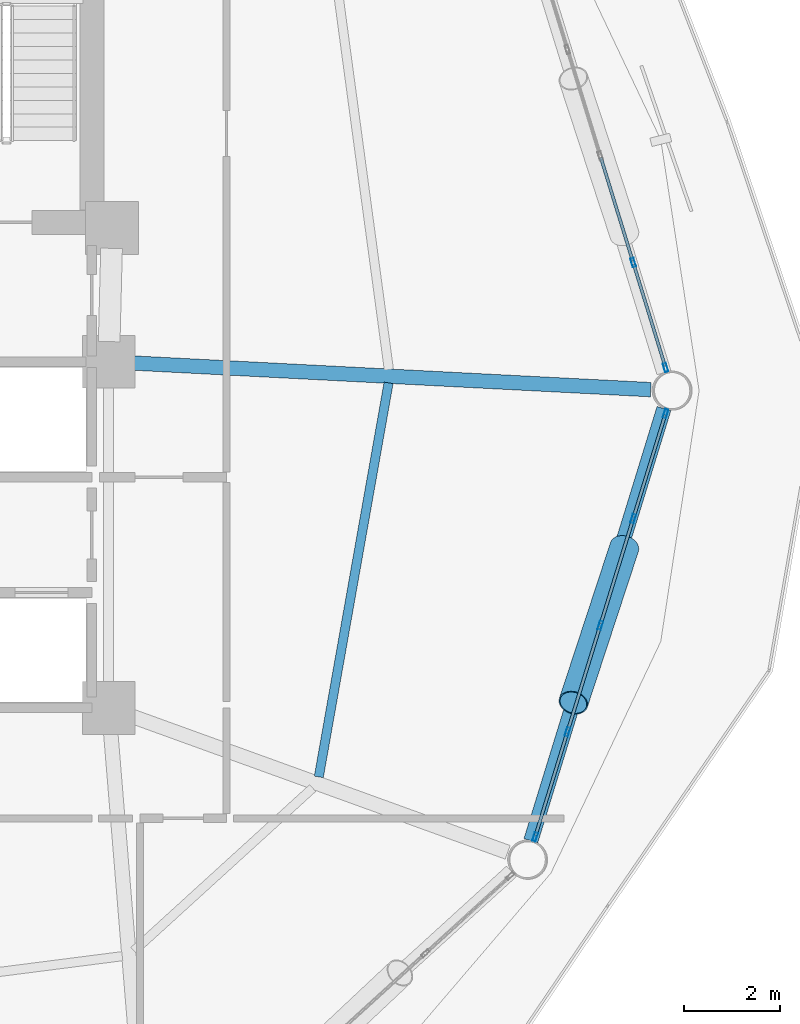
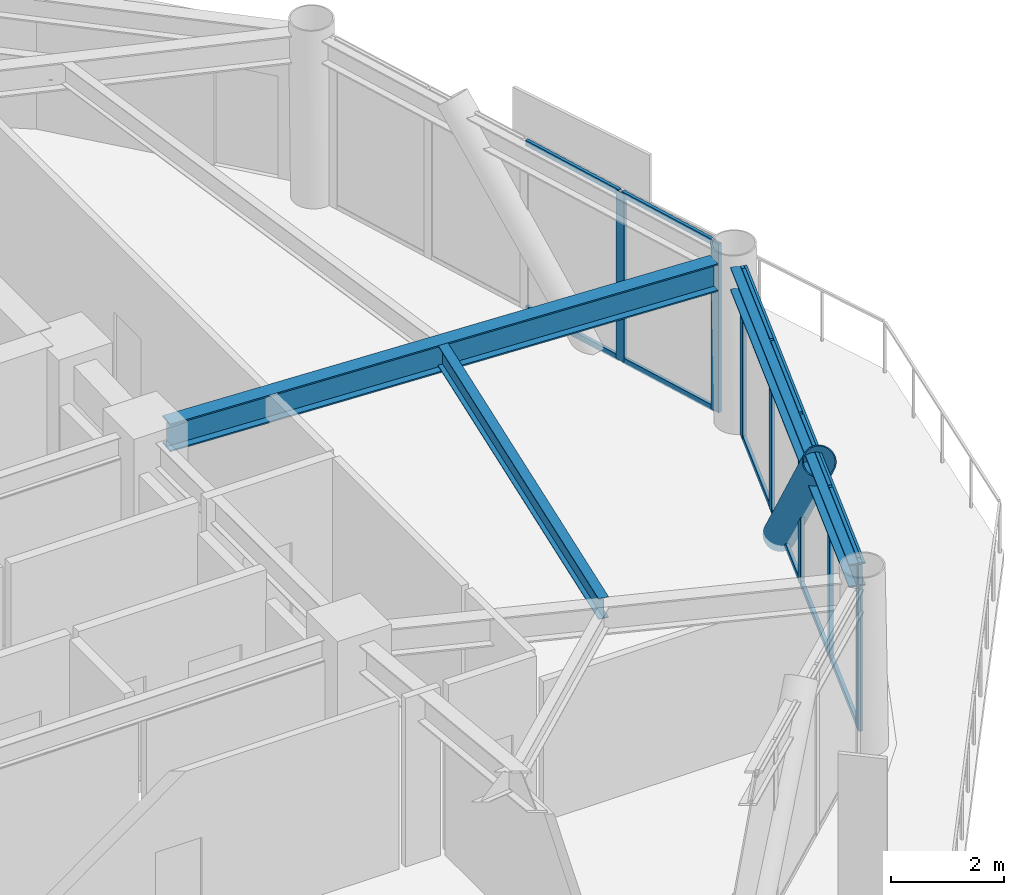
# One storey, part 13 of 24: 20 members, 3 beams, 2 elements without a shape of their own.
"""IFC4 building model written with IfcOpenShell, lengths in metres."""

import ifcopenshell
import ifcopenshell.guid

model = None  # the IFC model being written
_history = None  # IfcOwnerHistory: only IFC2X3 demands one
_inside = {}  # id of a spatial element -> (the spatial element, [elements in it])
_under = {}  # id of a project, library or spatial element -> (it, [spatial elements below it])
_declared = {}  # id of a project -> (the project, [libraries it declares])
_typed = {}  # id of a type object -> (the type object, [elements of that type])
_made_of = {}  # id of a material, layer set ... -> (it, [elements and type objects made of it])


def new_model(schema):
    """Start an empty IFC model of exactly this schema.

    Asked for "IFC4X3", IfcOpenShell would pick the latest addendum, in which some entities
    have other attributes; the version numbers below select the first issue.
    IFC2X3 requires an IfcOwnerHistory on every rooted entity: one is made here for all.
    """
    global model, _history
    if schema == "IFC4X3":
        model = ifcopenshell.file(schema_version=(4, 3, 0, 0))
    else:
        model = ifcopenshell.file(schema=schema)
    _inside.clear()
    _under.clear()
    _declared.clear()
    _typed.clear()
    _made_of.clear()
    _history = None
    if model.schema == "IFC2X3":
        org = make("IfcOrganization", Name="unknown")
        user = make(
            "IfcPersonAndOrganization",
            ThePerson=make("IfcPerson", FamilyName="unknown"),
            TheOrganization=org,
        )
        app = make(
            "IfcApplication",
            ApplicationDeveloper=org,
            Version="unknown",
            ApplicationFullName="unknown",
            ApplicationIdentifier="unknown",
        )
        _history = make(
            "IfcOwnerHistory",
            OwningUser=user,
            OwningApplication=app,
            ChangeAction="ADDED",
            CreationDate=0,
        )
    return model


def make(cls, **values):
    """One entity of the class cls with the attributes given. An attribute that is None is left unset."""
    return model.create_entity(
        cls, **{name: value for name, value in values.items() if value is not None}
    )


def rooted(cls, **values):
    """An entity with a GlobalId (a new one), such as an element, a storey or a relation."""
    return make(cls, GlobalId=ifcopenshell.guid.new(), OwnerHistory=_history, **values)


def si_unit(unit_type, name, prefix=None):
    """IfcSIUnit, for example si_unit("LENGTHUNIT", "METRE", prefix="MILLI")."""
    return make("IfcSIUnit", UnitType=unit_type, Prefix=prefix, Name=name)


def assignment(units):
    """IfcUnitAssignment: the units of a project."""
    return None if units is None else make("IfcUnitAssignment", Units=units)


def point(xyz):
    """IfcCartesianPoint."""
    return None if xyz is None else make("IfcCartesianPoint", Coordinates=xyz)


def direction(xyz):
    """IfcDirection."""
    return None if xyz is None else make("IfcDirection", DirectionRatios=xyz)


def frame(location, z_axis=None, x_axis=None):
    """IfcAxis2Placement3D, a coordinate frame: its origin and axes. An axis left out is left unset."""
    return make(
        "IfcAxis2Placement3D",
        Location=point(location),
        Axis=direction(z_axis),
        RefDirection=direction(x_axis),
    )


def frame_2d(location, x_axis=None):
    """IfcAxis2Placement2D, a coordinate frame in the plane: its origin and x axis."""
    return make(
        "IfcAxis2Placement2D", Location=point(location), RefDirection=direction(x_axis)
    )


def origin():
    """The frame at (0, 0, 0) with its axes left unset."""
    return frame((0.0, 0.0, 0.0))


def origin_2d():
    """The frame at (0, 0) in the plane with its x axis left unset."""
    return frame_2d((0.0, 0.0))


def place(relative_to, where):
    """IfcLocalPlacement: puts the frame where relative to a parent placement (None: the world)."""
    return make(
        "IfcLocalPlacement", PlacementRelTo=relative_to, RelativePlacement=where
    )


def context(
    kind, dimensions, precision=None, world=None, true_north=None, identifier=None
):
    """IfcGeometricRepresentationContext, for example the 3D "Model" context."""
    return make(
        "IfcGeometricRepresentationContext",
        ContextIdentifier=identifier,
        ContextType=kind,
        CoordinateSpaceDimension=dimensions,
        Precision=precision,
        WorldCoordinateSystem=world,
        TrueNorth=true_north,
    )


def subcontext(parent, identifier, kind, view, scale=None):
    """IfcGeometricRepresentationSubContext, for example "Body" below "Model"."""
    return make(
        "IfcGeometricRepresentationSubContext",
        ContextIdentifier=identifier,
        ContextType=kind,
        ParentContext=parent,
        TargetScale=scale,
        TargetView=view,
    )


def project(units=None, contexts=None):
    """IfcProject with its units and contexts."""
    return rooted(
        "IfcProject",
        Name="project",
        RepresentationContexts=contexts,
        UnitsInContext=assignment(units),
    )


def spatial(cls, under=None, at=None, **own):
    """A site, building, storey or space (cls), placed at a placement, below another one or the project."""
    s = rooted(cls, ObjectPlacement=at, **own)
    if under is not None:
        _under.setdefault(under.id(), (under, []))[1].append(s)
    return s


def profile(cls, at=None, kind="AREA", **sizes):
    """A parametric profile (cls). Its sizes go by their IFC names, for example OverallWidth=200.0."""
    return make(cls, ProfileType=kind, Position=at, **sizes)


def hollow_rectangle(**sizes):
    """IfcRectangleHollowProfileDef."""
    return profile("IfcRectangleHollowProfileDef", **sizes)


def hollow_circle(**sizes):
    """IfcCircleHollowProfileDef."""
    return profile("IfcCircleHollowProfileDef", **sizes)


def i_section(**sizes):
    """IfcIShapeProfileDef."""
    return profile("IfcIShapeProfileDef", **sizes)


def extrude(swept, where, along, depth):
    """IfcExtrudedAreaSolid: the profile swept, set in the frame where, extruded along a direction by depth."""
    return make(
        "IfcExtrudedAreaSolid",
        SweptArea=swept,
        Position=where,
        ExtrudedDirection=direction(along),
        Depth=depth,
    )


def shape(context_of_items, identifier, shape_type, items):
    """IfcShapeRepresentation: the items that make up one representation, for example the "Body"."""
    return make(
        "IfcShapeRepresentation",
        ContextOfItems=context_of_items,
        RepresentationIdentifier=identifier,
        RepresentationType=shape_type,
        Items=items,
    )


def material(Name=None, Category=None):
    """IfcMaterial."""
    return make("IfcMaterial", Name=Name, Category=Category)


def layer(
    of_material, thickness, ventilated=None, Name=None, Category=None, Priority=None
):
    """IfcMaterialLayer: one layer of a wall or slab, of a material (None: an air gap)."""
    return make(
        "IfcMaterialLayer",
        Material=of_material,
        LayerThickness=thickness,
        IsVentilated=ventilated,
        Name=Name,
        Category=Category,
        Priority=Priority,
    )


def layer_set(layers, Name=None):
    """IfcMaterialLayerSet."""
    return make("IfcMaterialLayerSet", MaterialLayers=layers, LayerSetName=Name)


def material_profile(
    of_material, cross_section, Name=None, Category=None, Priority=None
):
    """IfcMaterialProfile: a cross section and its material."""
    return make(
        "IfcMaterialProfile",
        Name=Name,
        Material=of_material,
        Profile=cross_section,
        Priority=Priority,
        Category=Category,
    )


def profile_set(profiles, Name=None, composite=None):
    """IfcMaterialProfileSet."""
    return make(
        "IfcMaterialProfileSet",
        Name=Name,
        MaterialProfiles=profiles,
        CompositeProfile=composite,
    )


def made_of(thing, what):
    """Note that an element or type object is made of a material, layer set ...; save() writes the relation."""
    if what is not None:
        _made_of.setdefault(what.id(), (what, []))[1].append(thing)
    return thing


def type_object(cls, material=None, **own):
    """A type object (cls), such as IfcWallType, which elements share."""
    return made_of(rooted(cls, **own), material)


def element(
    cls,
    number,
    at=None,
    inside=None,
    cuts=None,
    type_object=None,
    material=None,
    context=None,
    identifier="Body",
    shape_type=None,
    held_by="IfcProductDefinitionShape",
    body=None,
    shapes=None,
    **own,
):
    """One element of the class cls, such as IfcWall. Its Tag is "e" and its number.

    at: its placement. inside: the storey or other place that contains it. cuts: it is an
    opening in that element (IfcRelVoidsElement). A single representation is given by context,
    identifier, shape_type and body (its items); several are given by shapes. held_by: the class
    of the entity that holds the representations. save() writes the other relations.
    """
    e = rooted(cls, Tag="e%d" % number, ObjectPlacement=at, **own)
    if body is not None:
        shapes = [shape(context, identifier, shape_type, body)]
    if shapes is not None:
        e.Representation = make(held_by, Representations=shapes)
    if inside is not None:
        _inside.setdefault(inside.id(), (inside, []))[1].append(e)
    if cuts is not None:
        rooted(
            "IfcRelVoidsElement", RelatingBuildingElement=cuts, RelatedOpeningElement=e
        )
    if type_object is not None:
        _typed.setdefault(type_object.id(), (type_object, []))[1].append(e)
    return made_of(e, material)


def aggregate(whole, parts):
    """IfcRelAggregates: a whole, such as a stair, and the parts it consists of."""
    return rooted("IfcRelAggregates", RelatingObject=whole, RelatedObjects=parts)


def save(model, path):
    """Write the relations noted so far, then the file.

    IfcRelAggregates (storeys below a building ...), IfcRelContainedInSpatialStructure (elements
    in a storey), IfcRelDefinesByType, IfcRelAssociatesMaterial and IfcRelDeclares: one each for
    every whole, place, type object, material and project.
    """
    for whole, parts in _under.values():
        aggregate(whole, parts)
    for where, things in _inside.values():
        rooted(
            "IfcRelContainedInSpatialStructure",
            RelatedElements=things,
            RelatingStructure=where,
        )
    for kind, things in _typed.values():
        rooted("IfcRelDefinesByType", RelatedObjects=things, RelatingType=kind)
    for what, things in _made_of.values():
        rooted("IfcRelAssociatesMaterial", RelatedObjects=things, RelatingMaterial=what)
    for by, libraries in _declared.values():
        rooted("IfcRelDeclares", RelatingContext=by, RelatedDefinitions=libraries)
    model.write(path)


model = new_model("IFC4")

# Units and contexts
model_context = context("Model", 3, precision=1e-05, world=origin(), true_north=direction((0.0, 1.0)))
body_context = subcontext(model_context, "Body", "Model", "MODEL_VIEW")
ifc_project = project(units=[si_unit("LENGTHUNIT", "METRE"), si_unit("AREAUNIT", "SQUARE_METRE"), si_unit("VOLUMEUNIT", "CUBIC_METRE"), si_unit("PLANEANGLEUNIT", "RADIAN"), si_unit("MASSUNIT", "GRAM", prefix="KILO")], contexts=[model_context])

# Site, building, storey
site_placement = place(None, origin())
site = spatial("IfcSite", under=ifc_project, at=site_placement, CompositionType="ELEMENT")
building_placement = place(site_placement, origin())
building = spatial("IfcBuilding", under=site, at=building_placement, Name="Varnakorn Sky Granary", CompositionType="ELEMENT")
storey_placement = place(building_placement, frame((0.0, 0.0, 103.199951171875)))
storey = spatial("IfcBuildingStorey", under=building, at=storey_placement, Name="L25", CompositionType="ELEMENT", Elevation=103.199951171875)

# Beams
ifc_material_1 = material(Name="Steel S355JR", Category="steel")
ifc_material_profile_1 = material_profile(ifc_material_1, i_section(OverallWidth=0.300048828125, OverallDepth=0.60009765625, WebThickness=0.015380859375, FlangeThickness=0.030029296875, at=origin_2d()), Name="HE 600 B")
ifc_profile_set_1 = profile_set([ifc_material_profile_1], Name="Steel S355JR")
beam_type_1 = type_object("IfcBeamType", Name="BM-RAD-Z2", PredefinedType="BEAM", material=ifc_profile_set_1)
beam_1_placement = place(storey_placement, frame((8.769287109375, 0.578369140625, 3.340087890625), z_axis=(0.998680142229, -0.051361206352, 0.0), x_axis=(0.051361206352, 0.998680142229, 0.0)))
element("IfcBeam", 1, at=beam_1_placement, inside=storey, type_object=beam_type_1, Name="Radial Floor Girder RG01 L25", PredefinedType="BEAM", context=body_context, shape_type="SweptSolid", body=[
    extrude(i_section(OverallWidth=0.300048828125, OverallDepth=0.60009765625, WebThickness=0.015380859375, FlangeThickness=0.030029296875, at=origin_2d()), origin(), (0.0, 0.0, 1.0), 10.87109375),
])
ifc_material_profile_2 = material_profile(ifc_material_1, i_section(OverallWidth=0.18994140625, OverallDepth=0.449951171875, WebThickness=0.009521484375, FlangeThickness=0.0146484375, at=origin_2d()), Name="IPE 450")
ifc_profile_set_2 = profile_set([ifc_material_profile_2], Name="Steel S355JR")
beam_type_2 = type_object("IfcBeamType", Name="BM-SEC-Z2", PredefinedType="BEAM", material=ifc_profile_set_2)
beam_2_placement = place(storey_placement, frame((12.721435546875, -8.0361328125, 3.4150390625), z_axis=(0.174400946393, 0.984674722889, 0.0), x_axis=(-0.984674722889, 0.174400946393, 0.0)))
element("IfcBeam", 2, at=beam_2_placement, inside=storey, type_object=beam_type_2, Name="Secondary Floor Chord Beam MSB12 L25", PredefinedType="BEAM", context=body_context, shape_type="SweptSolid", body=[
    extrude(i_section(OverallWidth=0.18994140625, OverallDepth=0.449951171875, WebThickness=0.009521484375, FlangeThickness=0.0146484375, at=origin_2d()), origin(), (0.0, 0.0, 1.0), 8.3251953125),
])
ifc_material_profile_3 = material_profile(ifc_material_1, i_section(OverallWidth=0.300048828125, OverallDepth=0.5, WebThickness=0.014404296875, FlangeThickness=0.028076171875, at=origin_2d()), Name="HE 500 B")
ifc_profile_set_3 = profile_set([ifc_material_profile_3], Name="Steel S355JR")
beam_type_3 = type_object("IfcBeamType", Name="BM-SPD-Z2", PredefinedType="SPANDREL", material=ifc_profile_set_3)
beam_3_placement = place(storey_placement, frame((17.132568359375, -9.3642578125, 3.39013671875), z_axis=(0.294390401582, 0.955685247064, 0.0), x_axis=(-0.955685247064, 0.294390401582, 0.0)))
element("IfcBeam", 3, at=beam_3_placement, inside=storey, type_object=beam_type_3, Name="Perimeter Spandrel Ring Beam RB12 L25", PredefinedType="SPANDREL", context=body_context, shape_type="SweptSolid", body=[
    extrude(i_section(OverallWidth=0.300048828125, OverallDepth=0.5, WebThickness=0.014404296875, FlangeThickness=0.028076171875, at=origin_2d()), origin(), (0.0, 0.0, 1.0), 9.40673828125),
])

# Curtain wall, members
ifc_material_2 = material(Name="Anodised Bronze Aluminium Alloy 6063-T6", Category="aluminium")
ifc_layer = layer(ifc_material_2, 0.179931640625, Name="Anodised Bronze Aluminium Alloy 6063-T6")
ifc_layer_set = layer_set([ifc_layer], Name="Anodised Bronze Aluminium Alloy 6063-T6")
curtain_wall_type = type_object("IfcCurtainWallType", Name="CW-FRM-2", PredefinedType="USERDEFINED", material=ifc_layer_set)
curtain_wall_1_placement = place(storey_placement, origin())
curtain_wall_1 = element("IfcCurtainWall", 4, at=curtain_wall_1_placement, inside=storey, type_object=curtain_wall_type, Name="Unitised Curtain Wall CW4 CW-L25-B01", ObjectType="CURTAIN WALL", PredefinedType="USERDEFINED")
ifc_material_profile_4 = material_profile(ifc_material_2, hollow_rectangle(XDim=0.070068359375, YDim=0.18505859375, WallThickness=0.00390625, at=origin_2d()), Name="ALU MULL 70x185")
ifc_profile_set_4 = profile_set([ifc_material_profile_4], Name="Anodised Bronze Aluminium Alloy 6063-T6")
member_type_1 = type_object("IfcMemberType", Name="CW-FRM-2-MULL", PredefinedType="MULLION", material=ifc_profile_set_4)
member_1_placement = place(storey_placement, frame((19.26220703125, 2.66357421875, 0.0), z_axis=(0.0, 0.0, 1.0), x_axis=(0.955651974312, 0.294498393873, 0.0)))
member_1 = element("IfcMember", 5, at=member_1_placement, type_object=member_type_1, Name="CW4 mullion 4", PredefinedType="MULLION", context=body_context, shape_type="SweptSolid", body=[
    extrude(hollow_rectangle(XDim=0.070068359375, YDim=0.18505859375, WallThickness=0.00390625, at=origin_2d()), origin(), (0.0, 0.0, 1.0), 3.64013671875),
])
member_2_placement = place(storey_placement, frame((19.935302734375, 0.479248046875, 0.0), z_axis=(0.0, 0.0, 1.0), x_axis=(0.955651974312, 0.294498393873, 0.0)))
member_2 = element("IfcMember", 6, at=member_2_placement, type_object=member_type_1, Name="CW4 mullion 5", PredefinedType="MULLION", context=body_context, shape_type="SweptSolid", body=[
    extrude(hollow_rectangle(XDim=0.070068359375, YDim=0.18505859375, WallThickness=0.00390625, at=origin_2d()), origin(), (0.0, 0.0, 1.0), 3.64013671875),
])

curtain_wall_2_placement = place(storey_placement, origin())
curtain_wall_2 = element("IfcCurtainWall", 7, at=curtain_wall_2_placement, inside=storey, type_object=curtain_wall_type, Name="Unitised Curtain Wall CW4 CW-L25-B12", ObjectType="CURTAIN WALL", PredefinedType="USERDEFINED")
member_3_placement = place(storey_placement, frame((19.935302734375, -0.479248046875, 0.0), z_axis=(0.0, 0.0, 1.0), x_axis=(0.955651974312, -0.294498393873, 0.0)))
member_3 = element("IfcMember", 8, at=member_3_placement, type_object=member_type_1, Name="CW4 mullion 1", PredefinedType="MULLION", context=body_context, shape_type="SweptSolid", body=[
    extrude(hollow_rectangle(XDim=0.070068359375, YDim=0.18505859375, WallThickness=0.00390625, at=origin_2d()), origin(), (0.0, 0.0, 1.0), 3.64013671875),
])
member_4_placement = place(storey_placement, frame((19.26220703125, -2.66357421875, 0.0), z_axis=(0.0, 0.0, 1.0), x_axis=(0.955651974312, -0.294498393873, 0.0)))
member_4 = element("IfcMember", 9, at=member_4_placement, type_object=member_type_1, Name="CW4 mullion 2", PredefinedType="MULLION", context=body_context, shape_type="SweptSolid", body=[
    extrude(hollow_rectangle(XDim=0.070068359375, YDim=0.18505859375, WallThickness=0.00390625, at=origin_2d()), origin(), (0.0, 0.0, 1.0), 3.64013671875),
])
member_5_placement = place(storey_placement, frame((18.578857421875, -4.88134765625, 0.0), z_axis=(0.0, 0.0, 1.0), x_axis=(0.955651974312, -0.294498393873, 0.0)))
member_5 = element("IfcMember", 10, at=member_5_placement, type_object=member_type_1, Name="CW4 mullion 3", PredefinedType="MULLION", context=body_context, shape_type="SweptSolid", body=[
    extrude(hollow_rectangle(XDim=0.070068359375, YDim=0.18505859375, WallThickness=0.00390625, at=origin_2d()), origin(), (0.0, 0.0, 1.0), 3.64013671875),
])
member_6_placement = place(storey_placement, frame((17.895263671875, -7.098876953125, 0.0), z_axis=(0.0, 0.0, 1.0), x_axis=(0.955651974312, -0.294498393873, 0.0)))
member_6 = element("IfcMember", 11, at=member_6_placement, type_object=member_type_1, Name="CW4 mullion 4", PredefinedType="MULLION", context=body_context, shape_type="SweptSolid", body=[
    extrude(hollow_rectangle(XDim=0.070068359375, YDim=0.18505859375, WallThickness=0.00390625, at=origin_2d()), origin(), (0.0, 0.0, 1.0), 3.64013671875),
])
member_7_placement = place(storey_placement, frame((17.22216796875, -9.283203125, 0.0), z_axis=(0.0, 0.0, 1.0), x_axis=(0.955651974312, -0.294498393873, 0.0)))
member_7 = element("IfcMember", 12, at=member_7_placement, type_object=member_type_1, Name="CW4 mullion 5", PredefinedType="MULLION", context=body_context, shape_type="SweptSolid", body=[
    extrude(hollow_rectangle(XDim=0.070068359375, YDim=0.18505859375, WallThickness=0.00390625, at=origin_2d()), origin(), (0.0, 0.0, 1.0), 3.64013671875),
])

# Member
ifc_material_profile_5 = material_profile(ifc_material_2, hollow_rectangle(XDim=0.06494140625, YDim=0.1201171875, WallThickness=0.00341796875, at=origin_2d()), Name="ALU TRAN 65x120")
ifc_profile_set_5 = profile_set([ifc_material_profile_5], Name="Anodised Bronze Aluminium Alloy 6063-T6")
member_type_2 = type_object("IfcMemberType", Name="CW-FRM-2-TRAN", PredefinedType="USERDEFINED", material=ifc_profile_set_5)
member_8_placement = place(storey_placement, frame((18.589111328125, 4.847900390625, 0.032470703125), z_axis=(0.294505055258, -0.955649921481, 0.0), x_axis=(0.955649921481, 0.294505055258, 0.0)))
member_8 = element("IfcMember", 13, at=member_8_placement, type_object=member_type_2, Name="CW4 transom 3.1", ObjectType="TRANSOM", PredefinedType="USERDEFINED", context=body_context, shape_type="SweptSolid", body=[
    extrude(hollow_rectangle(XDim=0.06494140625, YDim=0.1201171875, WallThickness=0.00341796875, at=origin_2d()), origin(), (0.0, 0.0, 1.0), 2.250732421875),
])

member_9_placement = place(storey_placement, frame((18.589111328125, 4.847900390625, 3.607666015625), z_axis=(0.294505055258, -0.955649921481, 0.0), x_axis=(0.955649921481, 0.294505055258, 0.0)))
member_9 = element("IfcMember", 14, at=member_9_placement, type_object=member_type_2, Name="CW4 transom 3.2", ObjectType="TRANSOM", PredefinedType="USERDEFINED", context=body_context, shape_type="SweptSolid", body=[
    extrude(hollow_rectangle(XDim=0.06494140625, YDim=0.1201171875, WallThickness=0.00341796875, at=origin_2d()), origin(), (0.0, 0.0, 1.0), 2.250732421875),
])

member_10_placement = place(storey_placement, frame((19.2724609375, 2.630126953125, 0.032470703125), z_axis=(0.294527157053, -0.955643110035, 0.0), x_axis=(0.955643110035, 0.294527157053, 0.0)))
member_10 = element("IfcMember", 15, at=member_10_placement, type_object=member_type_2, Name="CW4 transom 4.1", ObjectType="TRANSOM", PredefinedType="USERDEFINED", context=body_context, shape_type="SweptSolid", body=[
    extrude(hollow_rectangle(XDim=0.06494140625, YDim=0.1201171875, WallThickness=0.00341796875, at=origin_2d()), origin(), (0.0, 0.0, 1.0), 2.2158203125),
])

member_11_placement = place(storey_placement, frame((19.2724609375, 2.630126953125, 3.607666015625), z_axis=(0.294527157053, -0.955643110035, 0.0), x_axis=(0.955643110035, 0.294527157053, 0.0)))
member_11 = element("IfcMember", 16, at=member_11_placement, type_object=member_type_2, Name="CW4 transom 4.2", ObjectType="TRANSOM", PredefinedType="USERDEFINED", context=body_context, shape_type="SweptSolid", body=[
    extrude(hollow_rectangle(XDim=0.06494140625, YDim=0.1201171875, WallThickness=0.00341796875, at=origin_2d()), origin(), (0.0, 0.0, 1.0), 2.2158203125),
])

aggregate(curtain_wall_1, [member_1, member_2, member_8, member_9, member_10, member_11])

member_12_placement = place(storey_placement, frame((19.925048828125, -0.5126953125, 0.032470703125), z_axis=(-0.294527157053, -0.955643110035, 0.0), x_axis=(0.955643110035, -0.294527157053, 0.0)))
member_12 = element("IfcMember", 17, at=member_12_placement, type_object=member_type_2, Name="CW4 transom 1.1", ObjectType="TRANSOM", PredefinedType="USERDEFINED", context=body_context, shape_type="SweptSolid", body=[
    extrude(hollow_rectangle(XDim=0.06494140625, YDim=0.1201171875, WallThickness=0.00341796875, at=origin_2d()), origin(), (0.0, 0.0, 1.0), 2.2158203125),
])

member_13_placement = place(storey_placement, frame((19.925048828125, -0.5126953125, 3.607666015625), z_axis=(-0.294527157053, -0.955643110035, 0.0), x_axis=(0.955643110035, -0.294527157053, 0.0)))
member_13 = element("IfcMember", 18, at=member_13_placement, type_object=member_type_2, Name="CW4 transom 1.2", ObjectType="TRANSOM", PredefinedType="USERDEFINED", context=body_context, shape_type="SweptSolid", body=[
    extrude(hollow_rectangle(XDim=0.06494140625, YDim=0.1201171875, WallThickness=0.00341796875, at=origin_2d()), origin(), (0.0, 0.0, 1.0), 2.2158203125),
])

member_14_placement = place(storey_placement, frame((19.251953125, -2.697021484375, 0.032470703125), z_axis=(-0.294505055258, -0.955649921481, 0.0), x_axis=(0.955649921481, -0.294505055258, 0.0)))
member_14 = element("IfcMember", 19, at=member_14_placement, type_object=member_type_2, Name="CW4 transom 2.1", ObjectType="TRANSOM", PredefinedType="USERDEFINED", context=body_context, shape_type="SweptSolid", body=[
    extrude(hollow_rectangle(XDim=0.06494140625, YDim=0.1201171875, WallThickness=0.00341796875, at=origin_2d()), origin(), (0.0, 0.0, 1.0), 2.250732421875),
])

member_15_placement = place(storey_placement, frame((19.251953125, -2.697021484375, 3.607666015625), z_axis=(-0.294505055258, -0.955649921481, 0.0), x_axis=(0.955649921481, -0.294505055258, 0.0)))
member_15 = element("IfcMember", 20, at=member_15_placement, type_object=member_type_2, Name="CW4 transom 2.2", ObjectType="TRANSOM", PredefinedType="USERDEFINED", context=body_context, shape_type="SweptSolid", body=[
    extrude(hollow_rectangle(XDim=0.06494140625, YDim=0.1201171875, WallThickness=0.00341796875, at=origin_2d()), origin(), (0.0, 0.0, 1.0), 2.250732421875),
])

member_16_placement = place(storey_placement, frame((18.568359375, -4.914794921875, 0.032470703125), z_axis=(-0.294535587408, -0.955640511777, 0.0), x_axis=(0.955640511777, -0.294535587408, 0.0)))
member_16 = element("IfcMember", 21, at=member_16_placement, type_object=member_type_2, Name="CW4 transom 3.1", ObjectType="TRANSOM", PredefinedType="USERDEFINED", context=body_context, shape_type="SweptSolid", body=[
    extrude(hollow_rectangle(XDim=0.06494140625, YDim=0.1201171875, WallThickness=0.00341796875, at=origin_2d()), origin(), (0.0, 0.0, 1.0), 2.25048828125),
])

member_17_placement = place(storey_placement, frame((18.568359375, -4.914794921875, 3.607666015625), z_axis=(-0.294535587408, -0.955640511777, 0.0), x_axis=(0.955640511777, -0.294535587408, 0.0)))
member_17 = element("IfcMember", 22, at=member_17_placement, type_object=member_type_2, Name="CW4 transom 3.2", ObjectType="TRANSOM", PredefinedType="USERDEFINED", context=body_context, shape_type="SweptSolid", body=[
    extrude(hollow_rectangle(XDim=0.06494140625, YDim=0.1201171875, WallThickness=0.00341796875, at=origin_2d()), origin(), (0.0, 0.0, 1.0), 2.25048828125),
])

member_18_placement = place(storey_placement, frame((17.885009765625, -7.13232421875, 0.032470703125), z_axis=(-0.294527157053, -0.955643110035, 0.0), x_axis=(0.955643110035, -0.294527157053, 0.0)))
member_18 = element("IfcMember", 23, at=member_18_placement, type_object=member_type_2, Name="CW4 transom 4.1", ObjectType="TRANSOM", PredefinedType="USERDEFINED", context=body_context, shape_type="SweptSolid", body=[
    extrude(hollow_rectangle(XDim=0.06494140625, YDim=0.1201171875, WallThickness=0.00341796875, at=origin_2d()), origin(), (0.0, 0.0, 1.0), 2.2158203125),
])

member_19_placement = place(storey_placement, frame((17.885009765625, -7.13232421875, 3.607666015625), z_axis=(-0.294527157053, -0.955643110035, 0.0), x_axis=(0.955643110035, -0.294527157053, 0.0)))
member_19 = element("IfcMember", 24, at=member_19_placement, type_object=member_type_2, Name="CW4 transom 4.2", ObjectType="TRANSOM", PredefinedType="USERDEFINED", context=body_context, shape_type="SweptSolid", body=[
    extrude(hollow_rectangle(XDim=0.06494140625, YDim=0.1201171875, WallThickness=0.00341796875, at=origin_2d()), origin(), (0.0, 0.0, 1.0), 2.2158203125),
])

aggregate(curtain_wall_2, [member_3, member_4, member_5, member_6, member_7, member_12, member_13, member_14, member_15, member_16, member_17, member_18, member_19])

ifc_material_3 = material(Name="Steel S460M", Category="steel")
ifc_material_profile_6 = material_profile(ifc_material_3, hollow_circle(Radius=0.304931640625, WallThickness=0.022216796875, at=origin_2d()), Name="CHS 610x22")
ifc_profile_set_6 = profile_set([ifc_material_profile_6], Name="Steel S460M")
member_type_3 = type_object("IfcMemberType", Name="MB-DIAG-T1", PredefinedType="BRACE", material=ifc_profile_set_6)
member_20_placement = place(storey_placement, frame((19.080078125, -3.254150390625, -0.1298828125), z_axis=(-0.204600629855, -0.62339034086, 0.75466751963), x_axis=(0.950134582197, -0.311840144485, 0.0)))
element("IfcMember", 25, at=member_20_placement, inside=storey, type_object=member_type_3, Name="Perimeter CHS Diagrid Brace DG12 L25", PredefinedType="BRACE", context=body_context, shape_type="SweptSolid", body=[
    extrude(hollow_circle(Radius=0.304931640625, WallThickness=0.022216796875, at=origin_2d()), origin(), (0.0, 0.0, 1.0), 5.1943359375),
])

save(model, "model.ifc")
